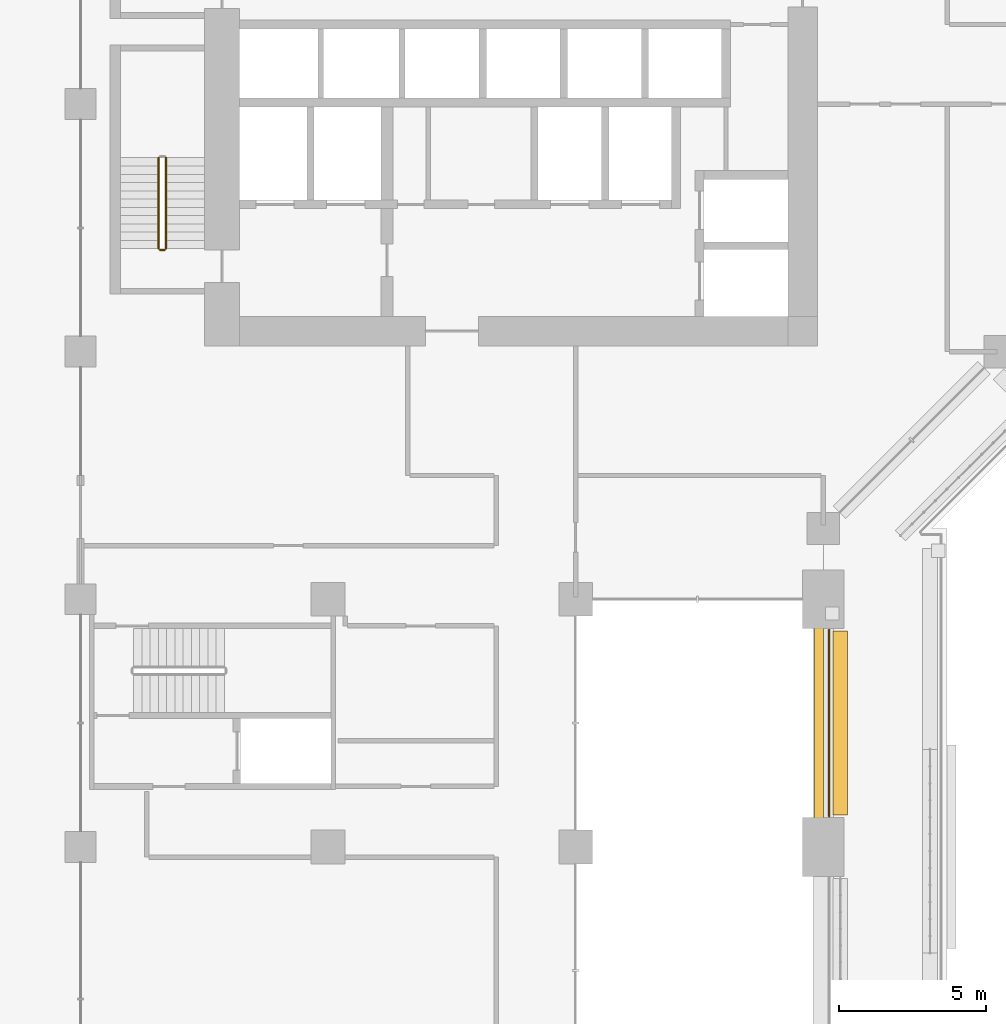
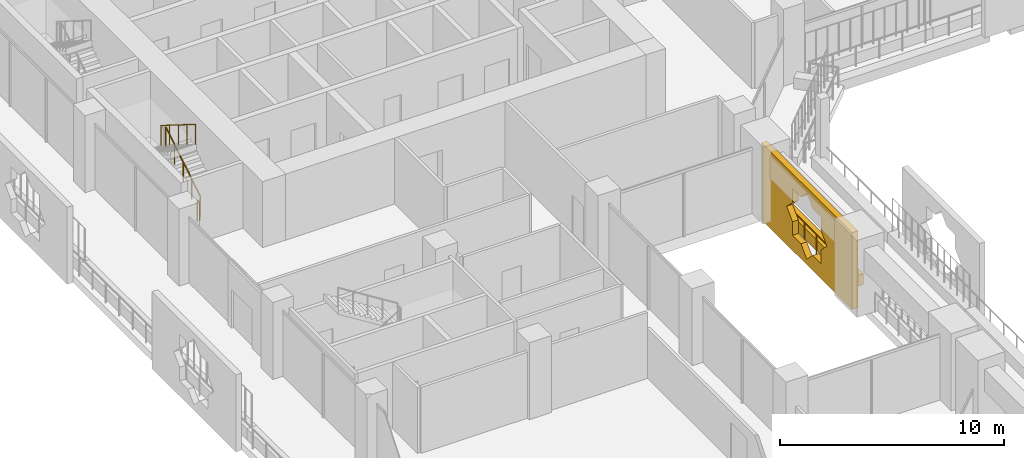
# One storey, part 23 of 29: 4 railings, 2 coverings.
"""IFC4 building model written with IfcOpenShell, lengths in metres."""

from ifc_helpers import new_model, si_unit, direction, frame, origin, origin_2d, place, context, subcontext, project, spatial, polyline, rectangle, circle, outline, extrude, material, material_profile, profile_set, type_object, element, save


model = new_model("IFC4")

# Units and contexts
model_context = context("Model", 3, precision=1e-05, world=origin(), true_north=direction((0.0, 1.0)))
body_context = subcontext(model_context, "Body", "Model", "MODEL_VIEW")
ifc_project = project(units=[si_unit("LENGTHUNIT", "METRE"), si_unit("AREAUNIT", "SQUARE_METRE"), si_unit("VOLUMEUNIT", "CUBIC_METRE"), si_unit("PLANEANGLEUNIT", "RADIAN"), si_unit("MASSUNIT", "GRAM", prefix="KILO")], contexts=[model_context])

# Site, building, storey
site_placement = place(None, origin())
site = spatial("IfcSite", under=ifc_project, at=site_placement, CompositionType="ELEMENT")
building_placement = place(site_placement, origin())
building = spatial("IfcBuilding", under=site, at=building_placement, Name="Kawkab Arch Medical Tower", CompositionType="ELEMENT")
storey_placement = place(building_placement, frame((0.0, 0.0, 107.199951171875)))
storey = spatial("IfcBuildingStorey", under=building, at=storey_placement, Name="L24", CompositionType="ELEMENT", Elevation=107.199951171875)

# Railing
ifc_material_1 = material(Name="Bronze anodised aluminium guard", Category="aluminium")
railing_type_1 = type_object("IfcRailingType", Name="Loggia and terrace guard 1100", PredefinedType="GUARDRAIL", material=ifc_material_1)
railing_1_placement = place(storey_placement, frame((25.39990234375, -40.969970703125, 0.0)))
element("IfcRailing", 1, at=railing_1_placement, inside=storey, type_object=railing_type_1, Name="Guard L24.LOG-01.1.2", PredefinedType="GUARDRAIL", context=body_context, shape_type="SweptSolid", body=[
    extrude(circle(Radius=0.02392578125, at=origin_2d()), frame((0.0, 0.0, 1.076171875), z_axis=(0.0, 1.0, 0.0), x_axis=(-1.0, 0.0, 0.0)), (0.0, 0.0, 1.0), 6.340087890625),
    extrude(circle(Radius=0.02099609375, at=origin_2d()), origin(), (0.0, 0.0, 1.0), 1.052001953125),
    extrude(circle(Radius=0.02099609375, at=origin_2d()), frame((0.0, 1.056640625, 0.0)), (0.0, 0.0, 1.0), 1.052001953125),
    extrude(circle(Radius=0.02099609375, at=origin_2d()), frame((0.0, 2.11328125, 0.0)), (0.0, 0.0, 1.0), 1.052001953125),
    extrude(circle(Radius=0.02099609375, at=origin_2d()), frame((0.0, 3.169921875, 0.0)), (0.0, 0.0, 1.0), 1.052001953125),
    extrude(circle(Radius=0.02099609375, at=origin_2d()), frame((0.0, 4.226806640625, 0.0)), (0.0, 0.0, 1.0), 1.052001953125),
    extrude(circle(Radius=0.02099609375, at=origin_2d()), frame((0.0, 5.283447265625, 0.0)), (0.0, 0.0, 1.0), 1.052001953125),
    extrude(circle(Radius=0.02099609375, at=origin_2d()), frame((0.0, 6.340087890625, 0.0)), (0.0, 0.0, 1.0), 1.052001953125),
])

# Coverings
ifc_material_2 = material(Name="Bronze anodised aluminium mashrabiya panel, eight-point star pattern", Category="aluminium")
ifc_material_profile_1 = material_profile(ifc_material_2, outline(polyline([(-4.050048828125, -2.10009765625), (4.050048828125, -2.10009765625), (4.050048828125, 2.10009765625), (-4.050048828125, 2.10009765625), (-4.050048828125, -2.10009765625)]), holes=[polyline([(1.800048828125, 0.0), (1.272705078125, 0.527099609375), (1.272705078125, 1.272705078125), (0.527099609375, 1.272705078125), (0.0, 1.800048828125), (-0.527099609375, 1.272705078125), (-1.272705078125, 1.272705078125), (-1.272705078125, 0.527099609375), (-1.800048828125, 0.0), (-1.272705078125, -0.527099609375), (-1.272705078125, -1.272705078125), (-0.527099609375, -1.272705078125), (0.0, -1.800048828125), (0.527099609375, -1.272705078125), (1.272705078125, -1.272705078125), (1.272705078125, -0.527099609375), (1.800048828125, 0.0)])]), Name="Mashrabiya panel 8100x4200")
ifc_profile_set_1 = profile_set([ifc_material_profile_1], Name="Bronze anodised aluminium mashrabiya panel, eight-point star pattern")
covering_type_1 = type_object("IfcCoveringType", Name="Mashrabiya panel 8100 x 4200", PredefinedType="USERDEFINED", material=ifc_profile_set_1)
covering_1_placement = place(storey_placement, frame((25.199951171875, -37.81494140625, 1.699951171875), z_axis=(-1.0, 0.0, 0.0), x_axis=(0.0, -1.0, 0.0)))
element("IfcCovering", 2, at=covering_1_placement, inside=storey, type_object=covering_type_1, Name="Mashrabiya panel L24.LOG-01-01.1", ObjectType="SCREEN", PredefinedType="USERDEFINED", context=body_context, shape_type="SweptSolid", body=[
    extrude(outline(polyline([(-4.050048828125, -2.10009765625), (4.050048828125, -2.10009765625), (4.050048828125, 2.10009765625), (-4.050048828125, 2.10009765625), (-4.050048828125, -2.10009765625)]), holes=[polyline([(1.800048828125, 0.0), (1.272705078125, 0.527099609375), (1.272705078125, 1.272705078125), (0.527099609375, 1.272705078125), (0.0, 1.800048828125), (-0.527099609375, 1.272705078125), (-1.272705078125, 1.272705078125), (-1.272705078125, 0.527099609375), (-1.800048828125, 0.0), (-1.272705078125, -0.527099609375), (-1.272705078125, -1.272705078125), (-0.527099609375, -1.272705078125), (0.0, -1.800048828125), (0.527099609375, -1.272705078125), (1.272705078125, -1.272705078125), (1.272705078125, -0.527099609375), (1.800048828125, 0.0)])]), origin(), (0.0, 0.0, 1.0), 0.300048828125),
])
ifc_material_3 = material(Name="Planting soil in a precast trough", Category="concrete")
ifc_material_profile_2 = material_profile(ifc_material_3, rectangle(XDim=0.5, YDim=0.60009765625, at=origin_2d()), Name="Trough 500x600")
ifc_profile_set_2 = profile_set([ifc_material_profile_2], Name="Planting soil in a precast trough")
covering_type_2 = type_object("IfcCoveringType", Name="Planter trough 500 x 600", PredefinedType="USERDEFINED", material=ifc_profile_set_2)
covering_2_placement = place(storey_placement, frame((25.780029296875, -40.919921875, 0.300048828125), z_axis=(0.0, 1.0, 0.0), x_axis=(-1.0, 0.0, 0.0)))
element("IfcCovering", 3, at=covering_2_placement, inside=storey, type_object=covering_type_2, Name="Planter L24.LOG-01-01.2", ObjectType="PLANTER", PredefinedType="USERDEFINED", context=body_context, shape_type="SweptSolid", body=[
    extrude(rectangle(XDim=0.5, YDim=0.60009765625, at=origin_2d()), origin(), (0.0, 0.0, 1.0), 6.239990234375),
])

# Railings
ifc_material_4 = material(Name="Stainless steel", Category="steel")
railing_type_2 = type_object("IfcRailingType", Name="Stair guard 1100", PredefinedType="GUARDRAIL", material=ifc_material_4)
railing_2_placement = place(storey_placement, frame((2.89990234375, -21.699951171875, 0.175048828125)))
element("IfcRailing", 4, at=railing_2_placement, inside=storey, type_object=railing_type_2, Name="L24 ST2 stair guard 1", PredefinedType="GUARDRAIL", context=body_context, shape_type="SweptSolid", body=[
    extrude(circle(Radius=0.02392578125, at=origin_2d()), frame((0.0, 0.0, 1.076171875), z_axis=(0.0, 0.847979421464, 0.530029150871), x_axis=(-1.0, 0.0, 0.0)), (0.0, 0.0, 1.0), 3.632080078125),
    extrude(circle(Radius=0.02099609375, at=origin_2d()), origin(), (0.0, 0.0, 1.0), 1.052001953125),
    extrude(circle(Radius=0.02099609375, at=origin_2d()), frame((0.0, 0.77001953125, 0.481201171875)), (0.0, 0.0, 1.0), 1.052001953125),
    extrude(circle(Radius=0.02099609375, at=origin_2d()), frame((0.0, 1.5400390625, 0.96240234375)), (0.0, 0.0, 1.0), 1.052001953125),
    extrude(circle(Radius=0.02099609375, at=origin_2d()), frame((0.0, 2.309814453125, 1.44384765625)), (0.0, 0.0, 1.0), 1.052001953125),
    extrude(circle(Radius=0.02099609375, at=origin_2d()), frame((0.0, 3.079833984375, 1.925048828125)), (0.0, 0.0, 1.0), 1.052001953125),
])
railing_3_placement = place(storey_placement, frame((2.64990234375, -18.6201171875, 2.275146484375)))
element("IfcRailing", 5, at=railing_3_placement, inside=storey, type_object=railing_type_2, Name="L24 ST2 stair guard 3", PredefinedType="GUARDRAIL", context=body_context, shape_type="SweptSolid", body=[
    extrude(circle(Radius=0.02392578125, at=origin_2d()), frame((0.0, 0.0, 1.076171875), z_axis=(0.0, -0.848009633417, 0.529980812513), x_axis=(1.0, 0.0, 0.0)), (0.0, 0.0, 1.0), 3.6318359375),
    extrude(circle(Radius=0.02099609375, at=origin_2d()), origin(), (0.0, 0.0, 1.0), 1.052001953125),
    extrude(circle(Radius=0.02099609375, at=origin_2d()), frame((0.0, -0.77001953125, 0.481201171875)), (0.0, 0.0, 1.0), 1.052001953125),
    extrude(circle(Radius=0.02099609375, at=origin_2d()), frame((0.0, -1.5400390625, 0.96240234375)), (0.0, 0.0, 1.0), 1.052001953125),
    extrude(circle(Radius=0.02099609375, at=origin_2d()), frame((0.0, -2.309814453125, 1.443603515625)), (0.0, 0.0, 1.0), 1.052001953125),
    extrude(circle(Radius=0.02099609375, at=origin_2d()), frame((0.0, -3.079833984375, 1.9248046875)), (0.0, 0.0, 1.0), 1.052001953125),
])
railing_4_placement = place(storey_placement, frame((2.85009765625, -21.75, 0.0)))
element("IfcRailing", 6, at=railing_4_placement, inside=storey, type_object=railing_type_2, Name="L24 ST2 stair guard 4", PredefinedType="GUARDRAIL", context=body_context, shape_type="SweptSolid", body=[
    extrude(circle(Radius=0.02392578125, at=origin_2d()), frame((0.0, 0.0, 1.076171875), z_axis=(-1.0, 0.0, 0.0), x_axis=(0.0, -1.0, 0.0)), (0.0, 0.0, 1.0), 0.150146484375),
    extrude(circle(Radius=0.02099609375, at=origin_2d()), origin(), (0.0, 0.0, 1.0), 1.052001953125),
    extrude(circle(Radius=0.02099609375, at=origin_2d()), frame((-0.150146484375, 0.0, 0.0)), (0.0, 0.0, 1.0), 1.052001953125),
])

save(model, "model.ifc")
